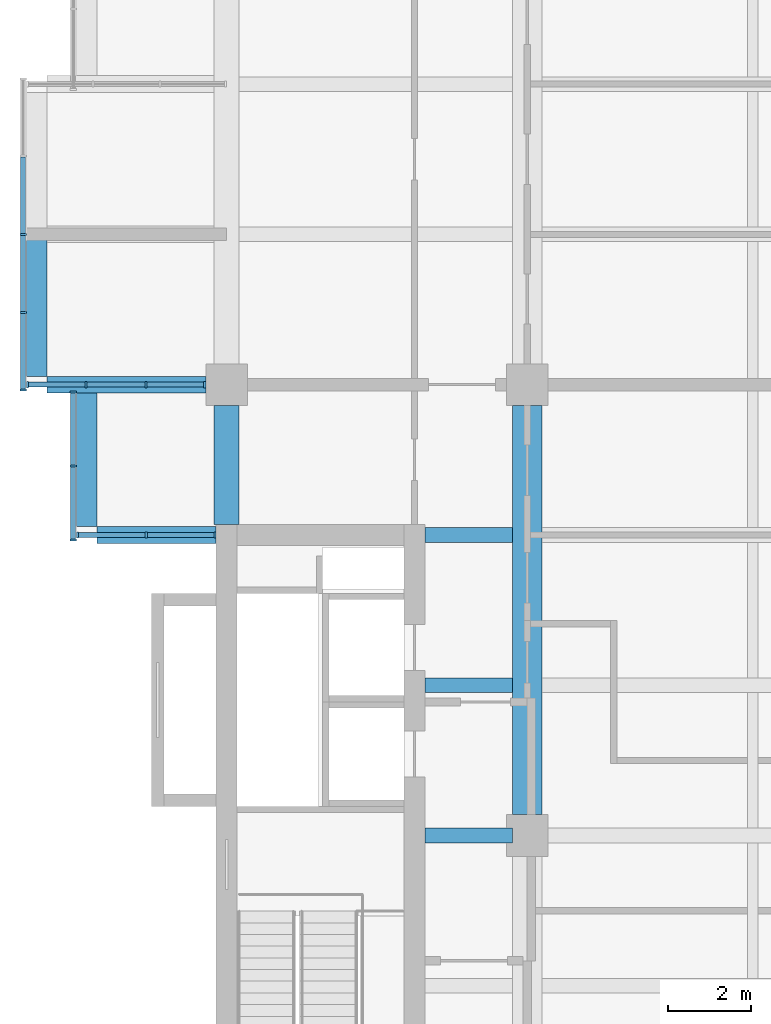
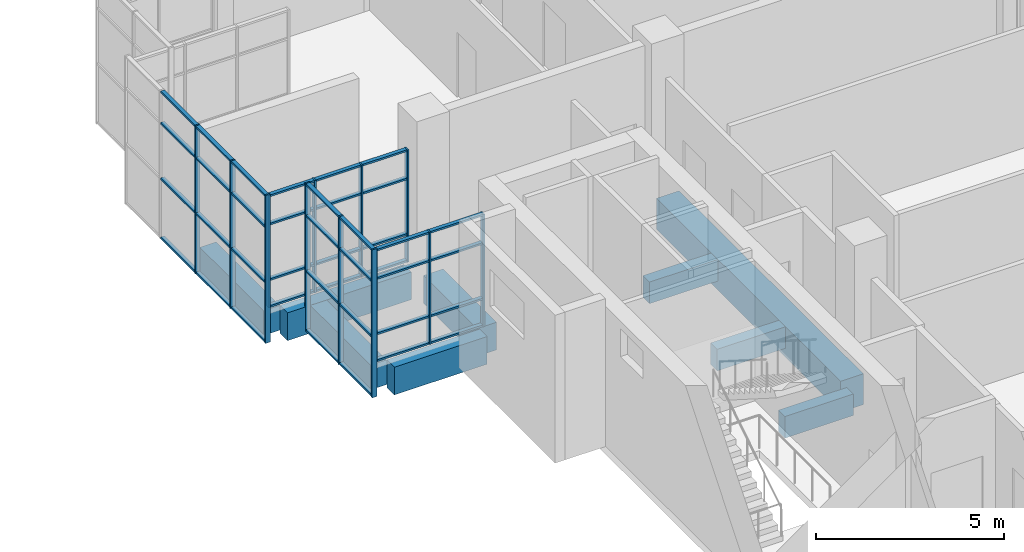
# One storey, part 8 of 35: 53 members, 9 beams, 4 elements without a shape of their own.
"""IFC4 building model written with IfcOpenShell, lengths in metres."""

import ifcopenshell
import ifcopenshell.guid

model = None  # the IFC model being written
_history = None  # IfcOwnerHistory: only IFC2X3 demands one
_inside = {}  # id of a spatial element -> (the spatial element, [elements in it])
_under = {}  # id of a project, library or spatial element -> (it, [spatial elements below it])
_declared = {}  # id of a project -> (the project, [libraries it declares])
_typed = {}  # id of a type object -> (the type object, [elements of that type])
_made_of = {}  # id of a material, layer set ... -> (it, [elements and type objects made of it])


def new_model(schema):
    """Start an empty IFC model of exactly this schema.

    Asked for "IFC4X3", IfcOpenShell would pick the latest addendum, in which some entities
    have other attributes; the version numbers below select the first issue.
    IFC2X3 requires an IfcOwnerHistory on every rooted entity: one is made here for all.
    """
    global model, _history
    if schema == "IFC4X3":
        model = ifcopenshell.file(schema_version=(4, 3, 0, 0))
    else:
        model = ifcopenshell.file(schema=schema)
    _inside.clear()
    _under.clear()
    _declared.clear()
    _typed.clear()
    _made_of.clear()
    _history = None
    if model.schema == "IFC2X3":
        org = make("IfcOrganization", Name="unknown")
        user = make(
            "IfcPersonAndOrganization",
            ThePerson=make("IfcPerson", FamilyName="unknown"),
            TheOrganization=org,
        )
        app = make(
            "IfcApplication",
            ApplicationDeveloper=org,
            Version="unknown",
            ApplicationFullName="unknown",
            ApplicationIdentifier="unknown",
        )
        _history = make(
            "IfcOwnerHistory",
            OwningUser=user,
            OwningApplication=app,
            ChangeAction="ADDED",
            CreationDate=0,
        )
    return model


def make(cls, **values):
    """One entity of the class cls with the attributes given. An attribute that is None is left unset."""
    return model.create_entity(
        cls, **{name: value for name, value in values.items() if value is not None}
    )


def rooted(cls, **values):
    """An entity with a GlobalId (a new one), such as an element, a storey or a relation."""
    return make(cls, GlobalId=ifcopenshell.guid.new(), OwnerHistory=_history, **values)


def si_unit(unit_type, name, prefix=None):
    """IfcSIUnit, for example si_unit("LENGTHUNIT", "METRE", prefix="MILLI")."""
    return make("IfcSIUnit", UnitType=unit_type, Prefix=prefix, Name=name)


def assignment(units):
    """IfcUnitAssignment: the units of a project."""
    return None if units is None else make("IfcUnitAssignment", Units=units)


def point(xyz):
    """IfcCartesianPoint."""
    return None if xyz is None else make("IfcCartesianPoint", Coordinates=xyz)


def direction(xyz):
    """IfcDirection."""
    return None if xyz is None else make("IfcDirection", DirectionRatios=xyz)


def frame(location, z_axis=None, x_axis=None):
    """IfcAxis2Placement3D, a coordinate frame: its origin and axes. An axis left out is left unset."""
    return make(
        "IfcAxis2Placement3D",
        Location=point(location),
        Axis=direction(z_axis),
        RefDirection=direction(x_axis),
    )


def frame_2d(location, x_axis=None):
    """IfcAxis2Placement2D, a coordinate frame in the plane: its origin and x axis."""
    return make(
        "IfcAxis2Placement2D", Location=point(location), RefDirection=direction(x_axis)
    )


def origin():
    """The frame at (0, 0, 0) with its axes left unset."""
    return frame((0.0, 0.0, 0.0))


def origin_2d():
    """The frame at (0, 0) in the plane with its x axis left unset."""
    return frame_2d((0.0, 0.0))


def place(relative_to, where):
    """IfcLocalPlacement: puts the frame where relative to a parent placement (None: the world)."""
    return make(
        "IfcLocalPlacement", PlacementRelTo=relative_to, RelativePlacement=where
    )


def context(
    kind, dimensions, precision=None, world=None, true_north=None, identifier=None
):
    """IfcGeometricRepresentationContext, for example the 3D "Model" context."""
    return make(
        "IfcGeometricRepresentationContext",
        ContextIdentifier=identifier,
        ContextType=kind,
        CoordinateSpaceDimension=dimensions,
        Precision=precision,
        WorldCoordinateSystem=world,
        TrueNorth=true_north,
    )


def subcontext(parent, identifier, kind, view, scale=None):
    """IfcGeometricRepresentationSubContext, for example "Body" below "Model"."""
    return make(
        "IfcGeometricRepresentationSubContext",
        ContextIdentifier=identifier,
        ContextType=kind,
        ParentContext=parent,
        TargetScale=scale,
        TargetView=view,
    )


def project(units=None, contexts=None):
    """IfcProject with its units and contexts."""
    return rooted(
        "IfcProject",
        Name="project",
        RepresentationContexts=contexts,
        UnitsInContext=assignment(units),
    )


def spatial(cls, under=None, at=None, **own):
    """A site, building, storey or space (cls), placed at a placement, below another one or the project."""
    s = rooted(cls, ObjectPlacement=at, **own)
    if under is not None:
        _under.setdefault(under.id(), (under, []))[1].append(s)
    return s


def profile(cls, at=None, kind="AREA", **sizes):
    """A parametric profile (cls). Its sizes go by their IFC names, for example OverallWidth=200.0."""
    return make(cls, ProfileType=kind, Position=at, **sizes)


def rectangle(**sizes):
    """IfcRectangleProfileDef."""
    return profile("IfcRectangleProfileDef", **sizes)


def extrude(swept, where, along, depth):
    """IfcExtrudedAreaSolid: the profile swept, set in the frame where, extruded along a direction by depth."""
    return make(
        "IfcExtrudedAreaSolid",
        SweptArea=swept,
        Position=where,
        ExtrudedDirection=direction(along),
        Depth=depth,
    )


def shape(context_of_items, identifier, shape_type, items):
    """IfcShapeRepresentation: the items that make up one representation, for example the "Body"."""
    return make(
        "IfcShapeRepresentation",
        ContextOfItems=context_of_items,
        RepresentationIdentifier=identifier,
        RepresentationType=shape_type,
        Items=items,
    )


def material(Name=None, Category=None):
    """IfcMaterial."""
    return make("IfcMaterial", Name=Name, Category=Category)


def layer(
    of_material, thickness, ventilated=None, Name=None, Category=None, Priority=None
):
    """IfcMaterialLayer: one layer of a wall or slab, of a material (None: an air gap)."""
    return make(
        "IfcMaterialLayer",
        Material=of_material,
        LayerThickness=thickness,
        IsVentilated=ventilated,
        Name=Name,
        Category=Category,
        Priority=Priority,
    )


def layer_set(layers, Name=None):
    """IfcMaterialLayerSet."""
    return make("IfcMaterialLayerSet", MaterialLayers=layers, LayerSetName=Name)


def material_profile(
    of_material, cross_section, Name=None, Category=None, Priority=None
):
    """IfcMaterialProfile: a cross section and its material."""
    return make(
        "IfcMaterialProfile",
        Name=Name,
        Material=of_material,
        Profile=cross_section,
        Priority=Priority,
        Category=Category,
    )


def profile_set(profiles, Name=None, composite=None):
    """IfcMaterialProfileSet."""
    return make(
        "IfcMaterialProfileSet",
        Name=Name,
        MaterialProfiles=profiles,
        CompositeProfile=composite,
    )


def made_of(thing, what):
    """Note that an element or type object is made of a material, layer set ...; save() writes the relation."""
    if what is not None:
        _made_of.setdefault(what.id(), (what, []))[1].append(thing)
    return thing


def type_object(cls, material=None, **own):
    """A type object (cls), such as IfcWallType, which elements share."""
    return made_of(rooted(cls, **own), material)


def element(
    cls,
    number,
    at=None,
    inside=None,
    cuts=None,
    type_object=None,
    material=None,
    context=None,
    identifier="Body",
    shape_type=None,
    held_by="IfcProductDefinitionShape",
    body=None,
    shapes=None,
    **own,
):
    """One element of the class cls, such as IfcWall. Its Tag is "e" and its number.

    at: its placement. inside: the storey or other place that contains it. cuts: it is an
    opening in that element (IfcRelVoidsElement). A single representation is given by context,
    identifier, shape_type and body (its items); several are given by shapes. held_by: the class
    of the entity that holds the representations. save() writes the other relations.
    """
    e = rooted(cls, Tag="e%d" % number, ObjectPlacement=at, **own)
    if body is not None:
        shapes = [shape(context, identifier, shape_type, body)]
    if shapes is not None:
        e.Representation = make(held_by, Representations=shapes)
    if inside is not None:
        _inside.setdefault(inside.id(), (inside, []))[1].append(e)
    if cuts is not None:
        rooted(
            "IfcRelVoidsElement", RelatingBuildingElement=cuts, RelatedOpeningElement=e
        )
    if type_object is not None:
        _typed.setdefault(type_object.id(), (type_object, []))[1].append(e)
    return made_of(e, material)


def aggregate(whole, parts):
    """IfcRelAggregates: a whole, such as a stair, and the parts it consists of."""
    return rooted("IfcRelAggregates", RelatingObject=whole, RelatedObjects=parts)


def save(model, path):
    """Write the relations noted so far, then the file.

    IfcRelAggregates (storeys below a building ...), IfcRelContainedInSpatialStructure (elements
    in a storey), IfcRelDefinesByType, IfcRelAssociatesMaterial and IfcRelDeclares: one each for
    every whole, place, type object, material and project.
    """
    for whole, parts in _under.values():
        aggregate(whole, parts)
    for where, things in _inside.values():
        rooted(
            "IfcRelContainedInSpatialStructure",
            RelatedElements=things,
            RelatingStructure=where,
        )
    for kind, things in _typed.values():
        rooted("IfcRelDefinesByType", RelatedObjects=things, RelatingType=kind)
    for what, things in _made_of.values():
        rooted("IfcRelAssociatesMaterial", RelatedObjects=things, RelatingMaterial=what)
    for by, libraries in _declared.values():
        rooted("IfcRelDeclares", RelatingContext=by, RelatedDefinitions=libraries)
    model.write(path)


model = new_model("IFC4")

# Units and contexts
model_context = context("Model", 3, precision=1e-05, world=origin(), true_north=direction((0.0, 1.0)))
body_context = subcontext(model_context, "Body", "Model", "MODEL_VIEW")
ifc_project = project(units=[si_unit("LENGTHUNIT", "METRE"), si_unit("AREAUNIT", "SQUARE_METRE"), si_unit("VOLUMEUNIT", "CUBIC_METRE"), si_unit("PLANEANGLEUNIT", "RADIAN"), si_unit("MASSUNIT", "GRAM", prefix="KILO")], contexts=[model_context])

# Site, building, storey
site_placement = place(None, origin())
site = spatial("IfcSite", under=ifc_project, at=site_placement, CompositionType="ELEMENT")
building_placement = place(site_placement, origin())
building = spatial("IfcBuilding", under=site, at=building_placement, Name="Basin Gate Institute", CompositionType="ELEMENT")
storey_placement = place(building_placement, frame((0.0, 0.0, 31.800048828125)))
storey = spatial("IfcBuildingStorey", under=building, at=storey_placement, Name="L06", CompositionType="ELEMENT", Elevation=31.800048828125)

# Beams
ifc_material_1 = material(Name="Concrete 40 MPa", Category="concrete")
ifc_material_profile_1 = material_profile(ifc_material_1, rectangle(XDim=0.35009765625, YDim=0.699951171875, at=origin_2d()), Name="Beam B1 350 x 700")
ifc_profile_set_1 = profile_set([ifc_material_profile_1], Name="Concrete 40 MPa")
beam_type_1 = type_object("IfcBeamType", Name="Beam B1 R120", PredefinedType="BEAM", material=ifc_profile_set_1)
for number, where, z_axis, x_axis, name in (
    (1, (65.949951171875, 67.5, -0.60009765625), (1.0, 0.0, 0.0), (0.0, 1.0, 0.0), "BEAM/L06/W/CORR/10"),
    (2, (65.949951171875, 71.10009765625, -0.60009765625), (1.0, 0.0, 0.0), (0.0, 1.0, 0.0), "BEAM/L06/W/CORR/11"),
    (3, (65.949951171875, 74.699951171875, -0.60009765625), (1.0, 0.0, 0.0), (0.0, 1.0, 0.0), "BEAM/L06/W/CORR/12"),
):
    element("IfcBeam", number, at=place(storey_placement, frame(where, z_axis=z_axis, x_axis=x_axis)), inside=storey, type_object=beam_type_1, material=ifc_profile_set_1, Name=name, PredefinedType="BEAM", context=body_context, shape_type="SweptSolid", body=[
        extrude(rectangle(XDim=0.35009765625, YDim=0.699951171875, at=origin_2d()), origin(), (0.0, 0.0, 1.0), 2.10009765625),
    ])
ifc_material_2 = material(Name="Concrete 50 MPa", Category="concrete")
ifc_material_profile_2 = material_profile(ifc_material_2, rectangle(XDim=0.39990234375, YDim=0.89990234375, at=origin_2d()), Name="Cantilever beam B3 400 x 900")
ifc_profile_set_2 = profile_set([ifc_material_profile_2], Name="Concrete 50 MPa")
beam_type_2 = type_object("IfcBeamType", Name="Cantilever beam B3 R120", PredefinedType="BEAM", material=ifc_profile_set_2)
beam_1_placement = place(storey_placement, frame((58.10009765625, 74.699951171875, -0.699951171875), z_axis=(1.0, 0.0, 0.0), x_axis=(0.0, 1.0, 0.0)))
element("IfcBeam", 4, at=beam_1_placement, inside=storey, type_object=beam_type_2, material=ifc_profile_set_2, Name="BEAM/L06/W/CANT/12", PredefinedType="BEAM", context=body_context, shape_type="SweptSolid", body=[
    extrude(rectangle(XDim=0.39990234375, YDim=0.89990234375, at=origin_2d()), origin(), (0.0, 0.0, 1.0), 2.849853515625),
])
beam_2_placement = place(storey_placement, frame((56.89990234375, 78.300048828125, -0.699951171875), z_axis=(1.0, 0.0, 0.0), x_axis=(0.0, 1.0, 0.0)))
element("IfcBeam", 5, at=beam_2_placement, inside=storey, type_object=beam_type_2, material=ifc_profile_set_2, Name="BEAM/L06/W/CANT/13", PredefinedType="BEAM", context=body_context, shape_type="SweptSolid", body=[
    extrude(rectangle(XDim=0.39990234375, YDim=0.89990234375, at=origin_2d()), origin(), (0.0, 0.0, 1.0), 3.800048828125),
])
ifc_material_3 = material(Name="Concrete 50 MPa", Category="concrete")
ifc_material_profile_3 = material_profile(ifc_material_3, rectangle(XDim=0.60009765625, YDim=0.89990234375, at=origin_2d()), Name="Edge return beam EB3 600 x 900")
ifc_profile_set_3 = profile_set([ifc_material_profile_3], Name="Concrete 50 MPa")
beam_type_3 = type_object("IfcBeamType", Name="Edge return beam EB3 R120", PredefinedType="SPANDREL", material=ifc_profile_set_3)
beam_3_placement = place(storey_placement, frame((61.199951171875, 74.949951171875, -0.699951171875), z_axis=(0.0, 1.0, 0.0), x_axis=(-1.0, 0.0, 0.0)))
element("IfcBeam", 6, at=beam_3_placement, inside=storey, type_object=beam_type_3, material=ifc_profile_set_3, Name="BEAM/L06/W/EDGE/3", PredefinedType="SPANDREL", context=body_context, shape_type="SweptSolid", body=[
    extrude(rectangle(XDim=0.60009765625, YDim=0.89990234375, at=origin_2d()), origin(), (0.0, 0.0, 1.0), 2.85009765625),
])
ifc_material_4 = material(Name="Concrete 50 MPa", Category="concrete")
ifc_material_profile_4 = material_profile(ifc_material_4, rectangle(XDim=0.699951171875, YDim=1.0, at=origin_2d()), Name="Girder G1 700 x 1000")
ifc_profile_set_4 = profile_set([ifc_material_profile_4], Name="Concrete 50 MPa")
beam_type_4 = type_object("IfcBeamType", Name="Girder G1 R120", PredefinedType="BEAM", material=ifc_profile_set_4)
beam_4_placement = place(storey_placement, frame((68.39990234375, 68.0, -0.75), z_axis=(0.0, 1.0, 0.0), x_axis=(-1.0, 0.0, 0.0)))
element("IfcBeam", 7, at=beam_4_placement, inside=storey, type_object=beam_type_4, material=ifc_profile_set_4, Name="GIR/L06/W5/4", PredefinedType="BEAM", context=body_context, shape_type="SweptSolid", body=[
    extrude(rectangle(XDim=0.699951171875, YDim=1.0, at=origin_2d()), origin(), (0.0, 0.0, 1.0), 9.800048828125),
])

# Curtain wall, members
ifc_material_5 = material(Name="Aluminium-framed glazing", Category="aluminium")
ifc_layer = layer(ifc_material_5, 0.14990234375)
ifc_layer_set = layer_set([ifc_layer], Name="Capsule front curtain wall CW1")
curtain_wall_type = type_object("IfcCurtainWallType", Name="Capsule front curtain wall CW1", PredefinedType="NOTDEFINED", material=ifc_layer_set)
curtain_wall_1_placement = place(storey_placement, origin())
curtain_wall_1 = element("IfcCurtainWall", 8, at=curtain_wall_1_placement, inside=storey, type_object=curtain_wall_type, material=ifc_layer_set, Name="Capsule front curtain wall W wing capsule end L06 line 12", PredefinedType="NOTDEFINED")
ifc_material_6 = material(Name="Aluminium", Category="aluminium")
ifc_material_profile_5 = material_profile(ifc_material_6, rectangle(XDim=0.14990234375, YDim=0.050048828125, at=origin_2d()), Name="Mullion MU1 150 x 50")
ifc_profile_set_5 = profile_set([ifc_material_profile_5], Name="Aluminium")
member_type_1 = type_object("IfcMemberType", Name="Mullion MU1", PredefinedType="MULLION", material=ifc_profile_set_5)
member_1_placement = place(storey_placement, frame((57.625, 74.699951171875, 0.0), z_axis=(0.0, 0.0, 1.0), x_axis=(0.0, 1.0, 0.0)))
member_1 = element("IfcMember", 9, at=member_1_placement, type_object=member_type_1, material=ifc_profile_set_5, Name="CW1 mullion 1", PredefinedType="MULLION", context=body_context, shape_type="SweptSolid", body=[
    extrude(rectangle(XDim=0.14990234375, YDim=0.050048828125, at=origin_2d()), origin(), (0.0, 0.0, 1.0), 3.64990234375),
])
member_2_placement = place(storey_placement, frame((59.27490234375, 74.699951171875, 0.0), z_axis=(0.0, 0.0, 1.0), x_axis=(0.0, 1.0, 0.0)))
member_2 = element("IfcMember", 10, at=member_2_placement, type_object=member_type_1, material=ifc_profile_set_5, Name="CW1 mullion 2", PredefinedType="MULLION", context=body_context, shape_type="SweptSolid", body=[
    extrude(rectangle(XDim=0.14990234375, YDim=0.050048828125, at=origin_2d()), origin(), (0.0, 0.0, 1.0), 3.64990234375),
])
member_3_placement = place(storey_placement, frame((60.925048828125, 74.699951171875, 0.0), z_axis=(0.0, 0.0, 1.0), x_axis=(0.0, 1.0, 0.0)))
member_3 = element("IfcMember", 11, at=member_3_placement, type_object=member_type_1, material=ifc_profile_set_5, Name="CW1 mullion 3", PredefinedType="MULLION", context=body_context, shape_type="SweptSolid", body=[
    extrude(rectangle(XDim=0.14990234375, YDim=0.050048828125, at=origin_2d()), origin(), (0.0, 0.0, 1.0), 3.64990234375),
])

curtain_wall_2_placement = place(storey_placement, origin())
curtain_wall_2 = element("IfcCurtainWall", 12, at=curtain_wall_2_placement, inside=storey, type_object=curtain_wall_type, material=ifc_layer_set, Name="Capsule front curtain wall W wing capsule end L06 line 13", PredefinedType="NOTDEFINED")
member_4_placement = place(storey_placement, frame((56.425048828125, 78.300048828125, 0.0), z_axis=(0.0, 0.0, 1.0), x_axis=(0.0, 1.0, 0.0)))
member_4 = element("IfcMember", 13, at=member_4_placement, type_object=member_type_1, material=ifc_profile_set_5, Name="CW1 mullion 1", PredefinedType="MULLION", context=body_context, shape_type="SweptSolid", body=[
    extrude(rectangle(XDim=0.14990234375, YDim=0.050048828125, at=origin_2d()), origin(), (0.0, 0.0, 1.0), 3.64990234375),
])
member_5_placement = place(storey_placement, frame((57.833251953125, 78.300048828125, 0.0), z_axis=(0.0, 0.0, 1.0), x_axis=(0.0, 1.0, 0.0)))
member_5 = element("IfcMember", 14, at=member_5_placement, type_object=member_type_1, material=ifc_profile_set_5, Name="CW1 mullion 2", PredefinedType="MULLION", context=body_context, shape_type="SweptSolid", body=[
    extrude(rectangle(XDim=0.14990234375, YDim=0.050048828125, at=origin_2d()), origin(), (0.0, 0.0, 1.0), 3.64990234375),
])
member_6_placement = place(storey_placement, frame((59.2666015625, 78.300048828125, 0.0), z_axis=(0.0, 0.0, 1.0), x_axis=(0.0, 1.0, 0.0)))
member_6 = element("IfcMember", 15, at=member_6_placement, type_object=member_type_1, material=ifc_profile_set_5, Name="CW1 mullion 3", PredefinedType="MULLION", context=body_context, shape_type="SweptSolid", body=[
    extrude(rectangle(XDim=0.14990234375, YDim=0.050048828125, at=origin_2d()), origin(), (0.0, 0.0, 1.0), 3.64990234375),
])
member_7_placement = place(storey_placement, frame((60.675048828125, 78.300048828125, 0.0), z_axis=(0.0, 0.0, 1.0), x_axis=(0.0, 1.0, 0.0)))
member_7 = element("IfcMember", 16, at=member_7_placement, type_object=member_type_1, material=ifc_profile_set_5, Name="CW1 mullion 4", PredefinedType="MULLION", context=body_context, shape_type="SweptSolid", body=[
    extrude(rectangle(XDim=0.14990234375, YDim=0.050048828125, at=origin_2d()), origin(), (0.0, 0.0, 1.0), 3.64990234375),
])

curtain_wall_3_placement = place(storey_placement, origin())
curtain_wall_3 = element("IfcCurtainWall", 17, at=curtain_wall_3_placement, inside=storey, type_object=curtain_wall_type, material=ifc_layer_set, Name="Capsule front curtain wall W wing capsule 2 L06 front 1", PredefinedType="NOTDEFINED")
member_8_placement = place(storey_placement, frame((57.52490234375, 74.574951171875, -1.050048828125), z_axis=(0.0, 0.0, 1.0), x_axis=(-1.0, 0.0, 0.0)))
member_8 = element("IfcMember", 18, at=member_8_placement, type_object=member_type_1, material=ifc_profile_set_5, Name="CW1 mullion 1", PredefinedType="MULLION", context=body_context, shape_type="SweptSolid", body=[
    extrude(rectangle(XDim=0.14990234375, YDim=0.050048828125, at=origin_2d()), origin(), (0.0, 0.0, 1.0), 4.800048828125),
])
member_9_placement = place(storey_placement, frame((57.52490234375, 76.35009765625, -1.050048828125), z_axis=(0.0, 0.0, 1.0), x_axis=(-1.0, 0.0, 0.0)))
member_9 = element("IfcMember", 19, at=member_9_placement, type_object=member_type_1, material=ifc_profile_set_5, Name="CW1 mullion 2", PredefinedType="MULLION", context=body_context, shape_type="SweptSolid", body=[
    extrude(rectangle(XDim=0.14990234375, YDim=0.050048828125, at=origin_2d()), origin(), (0.0, 0.0, 1.0), 4.800048828125),
])
member_10_placement = place(storey_placement, frame((57.52490234375, 78.125, -1.050048828125), z_axis=(0.0, 0.0, 1.0), x_axis=(-1.0, 0.0, 0.0)))
member_10 = element("IfcMember", 20, at=member_10_placement, type_object=member_type_1, material=ifc_profile_set_5, Name="CW1 mullion 3", PredefinedType="MULLION", context=body_context, shape_type="SweptSolid", body=[
    extrude(rectangle(XDim=0.14990234375, YDim=0.050048828125, at=origin_2d()), origin(), (0.0, 0.0, 1.0), 4.800048828125),
])

curtain_wall_4_placement = place(storey_placement, origin())
curtain_wall_4 = element("IfcCurtainWall", 21, at=curtain_wall_4_placement, inside=storey, type_object=curtain_wall_type, material=ifc_layer_set, Name="Capsule front curtain wall W wing capsule 2 L06 front 2", PredefinedType="NOTDEFINED")
member_11_placement = place(storey_placement, frame((56.324951171875, 78.175048828125, -1.050048828125), z_axis=(0.0, 0.0, 1.0), x_axis=(-1.0, 0.0, 0.0)))
member_11 = element("IfcMember", 22, at=member_11_placement, type_object=member_type_1, material=ifc_profile_set_5, Name="CW1 mullion 1", PredefinedType="MULLION", context=body_context, shape_type="SweptSolid", body=[
    extrude(rectangle(XDim=0.14990234375, YDim=0.050048828125, at=origin_2d()), origin(), (0.0, 0.0, 1.0), 4.800048828125),
])
member_12_placement = place(storey_placement, frame((56.324951171875, 80.02490234375, -1.050048828125), z_axis=(0.0, 0.0, 1.0), x_axis=(-1.0, 0.0, 0.0)))
member_12 = element("IfcMember", 23, at=member_12_placement, type_object=member_type_1, material=ifc_profile_set_5, Name="CW1 mullion 2", PredefinedType="MULLION", context=body_context, shape_type="SweptSolid", body=[
    extrude(rectangle(XDim=0.14990234375, YDim=0.050048828125, at=origin_2d()), origin(), (0.0, 0.0, 1.0), 4.800048828125),
])
member_13_placement = place(storey_placement, frame((56.324951171875, 81.89990234375, -1.050048828125), z_axis=(0.0, 0.0, 1.0), x_axis=(-1.0, 0.0, 0.0)))
member_13 = element("IfcMember", 24, at=member_13_placement, type_object=member_type_1, material=ifc_profile_set_5, Name="CW1 mullion 3", PredefinedType="MULLION", context=body_context, shape_type="SweptSolid", body=[
    extrude(rectangle(XDim=0.14990234375, YDim=0.050048828125, at=origin_2d()), origin(), (0.0, 0.0, 1.0), 4.800048828125),
])

# Beams
ifc_material_7 = material(Name="Concrete 50 MPa", Category="concrete")
ifc_material_profile_6 = material_profile(ifc_material_7, rectangle(XDim=0.5, YDim=0.800048828125, at=origin_2d()), Name="Tip beam TB1 500 x 800")
ifc_profile_set_6 = profile_set([ifc_material_profile_6], Name="Concrete 50 MPa")
beam_type_5 = type_object("IfcBeamType", Name="Tip beam TB1 R120", PredefinedType="SPANDREL", material=ifc_profile_set_6)
beam_5_placement = place(storey_placement, frame((57.85009765625, 74.89990234375, -0.650146484375), z_axis=(0.0, 1.0, 0.0), x_axis=(-1.0, 0.0, 0.0)))
element("IfcBeam", 25, at=beam_5_placement, inside=storey, type_object=beam_type_5, material=ifc_profile_set_6, Name="BEAM/L06/W/TIP/5", PredefinedType="SPANDREL", context=body_context, shape_type="SweptSolid", body=[
    extrude(rectangle(XDim=0.5, YDim=0.800048828125, at=origin_2d()), origin(), (0.0, 0.0, 1.0), 3.2001953125),
])
beam_6_placement = place(storey_placement, frame((56.64990234375, 78.5, -0.650146484375), z_axis=(0.0, 1.0, 0.0), x_axis=(-1.0, 0.0, 0.0)))
element("IfcBeam", 26, at=beam_6_placement, inside=storey, type_object=beam_type_5, material=ifc_profile_set_6, Name="BEAM/L06/W/TIP/6", PredefinedType="SPANDREL", context=body_context, shape_type="SweptSolid", body=[
    extrude(rectangle(XDim=0.5, YDim=0.800048828125, at=origin_2d()), origin(), (0.0, 0.0, 1.0), 3.39990234375),
])

# Member
ifc_material_8 = material(Name="Aluminium", Category="aluminium")
ifc_material_profile_7 = material_profile(ifc_material_8, rectangle(XDim=0.1201171875, YDim=0.06005859375, at=origin_2d()), Name="Transom TR1 120 x 60")
ifc_profile_set_7 = profile_set([ifc_material_profile_7], Name="Aluminium")
member_type_2 = type_object("IfcMemberType", Name="Transom TR1", PredefinedType="USERDEFINED", material=ifc_profile_set_7)
member_14_placement = place(storey_placement, frame((57.64990234375, 74.699951171875, 0.030029296875), z_axis=(1.0, 0.0, 0.0), x_axis=(0.0, 1.0, 0.0)))
member_14 = element("IfcMember", 27, at=member_14_placement, type_object=member_type_2, material=ifc_profile_set_7, Name="CW1 transom 1.1", ObjectType="TRANSOM", PredefinedType="USERDEFINED", context=body_context, shape_type="SweptSolid", body=[
    extrude(rectangle(XDim=0.1201171875, YDim=0.06005859375, at=origin_2d()), origin(), (0.0, 0.0, 1.0), 1.60009765625),
])

member_15_placement = place(storey_placement, frame((57.64990234375, 74.699951171875, 0.89990234375), z_axis=(1.0, 0.0, 0.0), x_axis=(0.0, 1.0, 0.0)))
member_15 = element("IfcMember", 28, at=member_15_placement, type_object=member_type_2, material=ifc_profile_set_7, Name="CW1 transom 1.2", ObjectType="TRANSOM", PredefinedType="USERDEFINED", context=body_context, shape_type="SweptSolid", body=[
    extrude(rectangle(XDim=0.1201171875, YDim=0.06005859375, at=origin_2d()), origin(), (0.0, 0.0, 1.0), 1.60009765625),
])

member_16_placement = place(storey_placement, frame((57.64990234375, 74.699951171875, 2.699951171875), z_axis=(1.0, 0.0, 0.0), x_axis=(0.0, 1.0, 0.0)))
member_16 = element("IfcMember", 29, at=member_16_placement, type_object=member_type_2, material=ifc_profile_set_7, Name="CW1 transom 1.3", ObjectType="TRANSOM", PredefinedType="USERDEFINED", context=body_context, shape_type="SweptSolid", body=[
    extrude(rectangle(XDim=0.1201171875, YDim=0.06005859375, at=origin_2d()), origin(), (0.0, 0.0, 1.0), 1.60009765625),
])

member_17_placement = place(storey_placement, frame((57.64990234375, 74.699951171875, 3.619873046875), z_axis=(1.0, 0.0, 0.0), x_axis=(0.0, 1.0, 0.0)))
member_17 = element("IfcMember", 30, at=member_17_placement, type_object=member_type_2, material=ifc_profile_set_7, Name="CW1 transom 1.4", ObjectType="TRANSOM", PredefinedType="USERDEFINED", context=body_context, shape_type="SweptSolid", body=[
    extrude(rectangle(XDim=0.1201171875, YDim=0.06005859375, at=origin_2d()), origin(), (0.0, 0.0, 1.0), 1.60009765625),
])

member_18_placement = place(storey_placement, frame((59.300048828125, 74.699951171875, 0.030029296875), z_axis=(1.0, 0.0, 0.0), x_axis=(0.0, 1.0, 0.0)))
member_18 = element("IfcMember", 31, at=member_18_placement, type_object=member_type_2, material=ifc_profile_set_7, Name="CW1 transom 2.1", ObjectType="TRANSOM", PredefinedType="USERDEFINED", context=body_context, shape_type="SweptSolid", body=[
    extrude(rectangle(XDim=0.1201171875, YDim=0.06005859375, at=origin_2d()), origin(), (0.0, 0.0, 1.0), 1.599853515625),
])

member_19_placement = place(storey_placement, frame((59.300048828125, 74.699951171875, 0.89990234375), z_axis=(1.0, 0.0, 0.0), x_axis=(0.0, 1.0, 0.0)))
member_19 = element("IfcMember", 32, at=member_19_placement, type_object=member_type_2, material=ifc_profile_set_7, Name="CW1 transom 2.2", ObjectType="TRANSOM", PredefinedType="USERDEFINED", context=body_context, shape_type="SweptSolid", body=[
    extrude(rectangle(XDim=0.1201171875, YDim=0.06005859375, at=origin_2d()), origin(), (0.0, 0.0, 1.0), 1.599853515625),
])

member_20_placement = place(storey_placement, frame((59.300048828125, 74.699951171875, 2.699951171875), z_axis=(1.0, 0.0, 0.0), x_axis=(0.0, 1.0, 0.0)))
member_20 = element("IfcMember", 33, at=member_20_placement, type_object=member_type_2, material=ifc_profile_set_7, Name="CW1 transom 2.3", ObjectType="TRANSOM", PredefinedType="USERDEFINED", context=body_context, shape_type="SweptSolid", body=[
    extrude(rectangle(XDim=0.1201171875, YDim=0.06005859375, at=origin_2d()), origin(), (0.0, 0.0, 1.0), 1.599853515625),
])

member_21_placement = place(storey_placement, frame((59.300048828125, 74.699951171875, 3.619873046875), z_axis=(1.0, 0.0, 0.0), x_axis=(0.0, 1.0, 0.0)))
member_21 = element("IfcMember", 34, at=member_21_placement, type_object=member_type_2, material=ifc_profile_set_7, Name="CW1 transom 2.4", ObjectType="TRANSOM", PredefinedType="USERDEFINED", context=body_context, shape_type="SweptSolid", body=[
    extrude(rectangle(XDim=0.1201171875, YDim=0.06005859375, at=origin_2d()), origin(), (0.0, 0.0, 1.0), 1.599853515625),
])

aggregate(curtain_wall_1, [member_1, member_2, member_3, member_14, member_15, member_16, member_17, member_18, member_19, member_20, member_21])

member_22_placement = place(storey_placement, frame((56.449951171875, 78.300048828125, 0.030029296875), z_axis=(1.0, 0.0, 0.0), x_axis=(0.0, 1.0, 0.0)))
member_22 = element("IfcMember", 35, at=member_22_placement, type_object=member_type_2, material=ifc_profile_set_7, Name="CW1 transom 1.1", ObjectType="TRANSOM", PredefinedType="USERDEFINED", context=body_context, shape_type="SweptSolid", body=[
    extrude(rectangle(XDim=0.1201171875, YDim=0.06005859375, at=origin_2d()), origin(), (0.0, 0.0, 1.0), 1.3583984375),
])

member_23_placement = place(storey_placement, frame((56.449951171875, 78.300048828125, 0.89990234375), z_axis=(1.0, 0.0, 0.0), x_axis=(0.0, 1.0, 0.0)))
member_23 = element("IfcMember", 36, at=member_23_placement, type_object=member_type_2, material=ifc_profile_set_7, Name="CW1 transom 1.2", ObjectType="TRANSOM", PredefinedType="USERDEFINED", context=body_context, shape_type="SweptSolid", body=[
    extrude(rectangle(XDim=0.1201171875, YDim=0.06005859375, at=origin_2d()), origin(), (0.0, 0.0, 1.0), 1.3583984375),
])

member_24_placement = place(storey_placement, frame((56.449951171875, 78.300048828125, 2.699951171875), z_axis=(1.0, 0.0, 0.0), x_axis=(0.0, 1.0, 0.0)))
member_24 = element("IfcMember", 37, at=member_24_placement, type_object=member_type_2, material=ifc_profile_set_7, Name="CW1 transom 1.3", ObjectType="TRANSOM", PredefinedType="USERDEFINED", context=body_context, shape_type="SweptSolid", body=[
    extrude(rectangle(XDim=0.1201171875, YDim=0.06005859375, at=origin_2d()), origin(), (0.0, 0.0, 1.0), 1.3583984375),
])

member_25_placement = place(storey_placement, frame((56.449951171875, 78.300048828125, 3.619873046875), z_axis=(1.0, 0.0, 0.0), x_axis=(0.0, 1.0, 0.0)))
member_25 = element("IfcMember", 38, at=member_25_placement, type_object=member_type_2, material=ifc_profile_set_7, Name="CW1 transom 1.4", ObjectType="TRANSOM", PredefinedType="USERDEFINED", context=body_context, shape_type="SweptSolid", body=[
    extrude(rectangle(XDim=0.1201171875, YDim=0.06005859375, at=origin_2d()), origin(), (0.0, 0.0, 1.0), 1.3583984375),
])

member_26_placement = place(storey_placement, frame((57.8583984375, 78.300048828125, 0.030029296875), z_axis=(1.0, 0.0, 0.0), x_axis=(0.0, 1.0, 0.0)))
member_26 = element("IfcMember", 39, at=member_26_placement, type_object=member_type_2, material=ifc_profile_set_7, Name="CW1 transom 2.1", ObjectType="TRANSOM", PredefinedType="USERDEFINED", context=body_context, shape_type="SweptSolid", body=[
    extrude(rectangle(XDim=0.1201171875, YDim=0.06005859375, at=origin_2d()), origin(), (0.0, 0.0, 1.0), 1.38330078125),
])

member_27_placement = place(storey_placement, frame((57.8583984375, 78.300048828125, 0.89990234375), z_axis=(1.0, 0.0, 0.0), x_axis=(0.0, 1.0, 0.0)))
member_27 = element("IfcMember", 40, at=member_27_placement, type_object=member_type_2, material=ifc_profile_set_7, Name="CW1 transom 2.2", ObjectType="TRANSOM", PredefinedType="USERDEFINED", context=body_context, shape_type="SweptSolid", body=[
    extrude(rectangle(XDim=0.1201171875, YDim=0.06005859375, at=origin_2d()), origin(), (0.0, 0.0, 1.0), 1.38330078125),
])

member_28_placement = place(storey_placement, frame((57.8583984375, 78.300048828125, 2.699951171875), z_axis=(1.0, 0.0, 0.0), x_axis=(0.0, 1.0, 0.0)))
member_28 = element("IfcMember", 41, at=member_28_placement, type_object=member_type_2, material=ifc_profile_set_7, Name="CW1 transom 2.3", ObjectType="TRANSOM", PredefinedType="USERDEFINED", context=body_context, shape_type="SweptSolid", body=[
    extrude(rectangle(XDim=0.1201171875, YDim=0.06005859375, at=origin_2d()), origin(), (0.0, 0.0, 1.0), 1.38330078125),
])

member_29_placement = place(storey_placement, frame((57.8583984375, 78.300048828125, 3.619873046875), z_axis=(1.0, 0.0, 0.0), x_axis=(0.0, 1.0, 0.0)))
member_29 = element("IfcMember", 42, at=member_29_placement, type_object=member_type_2, material=ifc_profile_set_7, Name="CW1 transom 2.4", ObjectType="TRANSOM", PredefinedType="USERDEFINED", context=body_context, shape_type="SweptSolid", body=[
    extrude(rectangle(XDim=0.1201171875, YDim=0.06005859375, at=origin_2d()), origin(), (0.0, 0.0, 1.0), 1.38330078125),
])

member_30_placement = place(storey_placement, frame((59.291748046875, 78.300048828125, 0.030029296875), z_axis=(1.0, 0.0, 0.0), x_axis=(0.0, 1.0, 0.0)))
member_30 = element("IfcMember", 43, at=member_30_placement, type_object=member_type_2, material=ifc_profile_set_7, Name="CW1 transom 3.1", ObjectType="TRANSOM", PredefinedType="USERDEFINED", context=body_context, shape_type="SweptSolid", body=[
    extrude(rectangle(XDim=0.1201171875, YDim=0.06005859375, at=origin_2d()), origin(), (0.0, 0.0, 1.0), 1.358154296875),
])

member_31_placement = place(storey_placement, frame((59.291748046875, 78.300048828125, 0.89990234375), z_axis=(1.0, 0.0, 0.0), x_axis=(0.0, 1.0, 0.0)))
member_31 = element("IfcMember", 44, at=member_31_placement, type_object=member_type_2, material=ifc_profile_set_7, Name="CW1 transom 3.2", ObjectType="TRANSOM", PredefinedType="USERDEFINED", context=body_context, shape_type="SweptSolid", body=[
    extrude(rectangle(XDim=0.1201171875, YDim=0.06005859375, at=origin_2d()), origin(), (0.0, 0.0, 1.0), 1.358154296875),
])

member_32_placement = place(storey_placement, frame((59.291748046875, 78.300048828125, 2.699951171875), z_axis=(1.0, 0.0, 0.0), x_axis=(0.0, 1.0, 0.0)))
member_32 = element("IfcMember", 45, at=member_32_placement, type_object=member_type_2, material=ifc_profile_set_7, Name="CW1 transom 3.3", ObjectType="TRANSOM", PredefinedType="USERDEFINED", context=body_context, shape_type="SweptSolid", body=[
    extrude(rectangle(XDim=0.1201171875, YDim=0.06005859375, at=origin_2d()), origin(), (0.0, 0.0, 1.0), 1.358154296875),
])

member_33_placement = place(storey_placement, frame((59.291748046875, 78.300048828125, 3.619873046875), z_axis=(1.0, 0.0, 0.0), x_axis=(0.0, 1.0, 0.0)))
member_33 = element("IfcMember", 46, at=member_33_placement, type_object=member_type_2, material=ifc_profile_set_7, Name="CW1 transom 3.4", ObjectType="TRANSOM", PredefinedType="USERDEFINED", context=body_context, shape_type="SweptSolid", body=[
    extrude(rectangle(XDim=0.1201171875, YDim=0.06005859375, at=origin_2d()), origin(), (0.0, 0.0, 1.0), 1.358154296875),
])

aggregate(curtain_wall_2, [member_4, member_5, member_6, member_7, member_22, member_23, member_24, member_25, member_26, member_27, member_28, member_29, member_30, member_31, member_32, member_33])

member_34_placement = place(storey_placement, frame((57.52490234375, 74.60009765625, -1.02001953125), z_axis=(0.0, 1.0, 0.0), x_axis=(-1.0, 0.0, 0.0)))
member_34 = element("IfcMember", 47, at=member_34_placement, type_object=member_type_2, material=ifc_profile_set_7, Name="CW1 transom 1.1", ObjectType="TRANSOM", PredefinedType="USERDEFINED", context=body_context, shape_type="SweptSolid", body=[
    extrude(rectangle(XDim=0.1201171875, YDim=0.06005859375, at=origin_2d()), origin(), (0.0, 0.0, 1.0), 1.724853515625),
])

member_35_placement = place(storey_placement, frame((57.52490234375, 74.60009765625, 0.89990234375), z_axis=(0.0, 1.0, 0.0), x_axis=(-1.0, 0.0, 0.0)))
member_35 = element("IfcMember", 48, at=member_35_placement, type_object=member_type_2, material=ifc_profile_set_7, Name="CW1 transom 1.2", ObjectType="TRANSOM", PredefinedType="USERDEFINED", context=body_context, shape_type="SweptSolid", body=[
    extrude(rectangle(XDim=0.1201171875, YDim=0.06005859375, at=origin_2d()), origin(), (0.0, 0.0, 1.0), 1.724853515625),
])

member_36_placement = place(storey_placement, frame((57.52490234375, 74.60009765625, 2.699951171875), z_axis=(0.0, 1.0, 0.0), x_axis=(-1.0, 0.0, 0.0)))
member_36 = element("IfcMember", 49, at=member_36_placement, type_object=member_type_2, material=ifc_profile_set_7, Name="CW1 transom 1.3", ObjectType="TRANSOM", PredefinedType="USERDEFINED", context=body_context, shape_type="SweptSolid", body=[
    extrude(rectangle(XDim=0.1201171875, YDim=0.06005859375, at=origin_2d()), origin(), (0.0, 0.0, 1.0), 1.724853515625),
])

member_37_placement = place(storey_placement, frame((57.52490234375, 74.60009765625, 3.719970703125), z_axis=(0.0, 1.0, 0.0), x_axis=(-1.0, 0.0, 0.0)))
member_37 = element("IfcMember", 50, at=member_37_placement, type_object=member_type_2, material=ifc_profile_set_7, Name="CW1 transom 1.4", ObjectType="TRANSOM", PredefinedType="USERDEFINED", context=body_context, shape_type="SweptSolid", body=[
    extrude(rectangle(XDim=0.1201171875, YDim=0.06005859375, at=origin_2d()), origin(), (0.0, 0.0, 1.0), 1.724853515625),
])

member_38_placement = place(storey_placement, frame((57.52490234375, 76.375, -1.02001953125), z_axis=(0.0, 1.0, 0.0), x_axis=(-1.0, 0.0, 0.0)))
member_38 = element("IfcMember", 51, at=member_38_placement, type_object=member_type_2, material=ifc_profile_set_7, Name="CW1 transom 2.1", ObjectType="TRANSOM", PredefinedType="USERDEFINED", context=body_context, shape_type="SweptSolid", body=[
    extrude(rectangle(XDim=0.1201171875, YDim=0.06005859375, at=origin_2d()), origin(), (0.0, 0.0, 1.0), 1.72509765625),
])

member_39_placement = place(storey_placement, frame((57.52490234375, 76.375, 0.89990234375), z_axis=(0.0, 1.0, 0.0), x_axis=(-1.0, 0.0, 0.0)))
member_39 = element("IfcMember", 52, at=member_39_placement, type_object=member_type_2, material=ifc_profile_set_7, Name="CW1 transom 2.2", ObjectType="TRANSOM", PredefinedType="USERDEFINED", context=body_context, shape_type="SweptSolid", body=[
    extrude(rectangle(XDim=0.1201171875, YDim=0.06005859375, at=origin_2d()), origin(), (0.0, 0.0, 1.0), 1.72509765625),
])

member_40_placement = place(storey_placement, frame((57.52490234375, 76.375, 2.699951171875), z_axis=(0.0, 1.0, 0.0), x_axis=(-1.0, 0.0, 0.0)))
member_40 = element("IfcMember", 53, at=member_40_placement, type_object=member_type_2, material=ifc_profile_set_7, Name="CW1 transom 2.3", ObjectType="TRANSOM", PredefinedType="USERDEFINED", context=body_context, shape_type="SweptSolid", body=[
    extrude(rectangle(XDim=0.1201171875, YDim=0.06005859375, at=origin_2d()), origin(), (0.0, 0.0, 1.0), 1.72509765625),
])

member_41_placement = place(storey_placement, frame((57.52490234375, 76.375, 3.719970703125), z_axis=(0.0, 1.0, 0.0), x_axis=(-1.0, 0.0, 0.0)))
member_41 = element("IfcMember", 54, at=member_41_placement, type_object=member_type_2, material=ifc_profile_set_7, Name="CW1 transom 2.4", ObjectType="TRANSOM", PredefinedType="USERDEFINED", context=body_context, shape_type="SweptSolid", body=[
    extrude(rectangle(XDim=0.1201171875, YDim=0.06005859375, at=origin_2d()), origin(), (0.0, 0.0, 1.0), 1.72509765625),
])

aggregate(curtain_wall_3, [member_8, member_9, member_10, member_34, member_35, member_36, member_37, member_38, member_39, member_40, member_41])

member_42_placement = place(storey_placement, frame((56.324951171875, 78.199951171875, -1.02001953125), z_axis=(0.0, 1.0, 0.0), x_axis=(-1.0, 0.0, 0.0)))
member_42 = element("IfcMember", 55, at=member_42_placement, type_object=member_type_2, material=ifc_profile_set_7, Name="CW1 transom 1.1", ObjectType="TRANSOM", PredefinedType="USERDEFINED", context=body_context, shape_type="SweptSolid", body=[
    extrude(rectangle(XDim=0.1201171875, YDim=0.06005859375, at=origin_2d()), origin(), (0.0, 0.0, 1.0), 1.800048828125),
])

member_43_placement = place(storey_placement, frame((56.324951171875, 78.199951171875, 0.89990234375), z_axis=(0.0, 1.0, 0.0), x_axis=(-1.0, 0.0, 0.0)))
member_43 = element("IfcMember", 56, at=member_43_placement, type_object=member_type_2, material=ifc_profile_set_7, Name="CW1 transom 1.2", ObjectType="TRANSOM", PredefinedType="USERDEFINED", context=body_context, shape_type="SweptSolid", body=[
    extrude(rectangle(XDim=0.1201171875, YDim=0.06005859375, at=origin_2d()), origin(), (0.0, 0.0, 1.0), 1.800048828125),
])

member_44_placement = place(storey_placement, frame((56.324951171875, 78.199951171875, 2.699951171875), z_axis=(0.0, 1.0, 0.0), x_axis=(-1.0, 0.0, 0.0)))
member_44 = element("IfcMember", 57, at=member_44_placement, type_object=member_type_2, material=ifc_profile_set_7, Name="CW1 transom 1.3", ObjectType="TRANSOM", PredefinedType="USERDEFINED", context=body_context, shape_type="SweptSolid", body=[
    extrude(rectangle(XDim=0.1201171875, YDim=0.06005859375, at=origin_2d()), origin(), (0.0, 0.0, 1.0), 1.800048828125),
])

member_45_placement = place(storey_placement, frame((56.324951171875, 78.199951171875, 3.719970703125), z_axis=(0.0, 1.0, 0.0), x_axis=(-1.0, 0.0, 0.0)))
member_45 = element("IfcMember", 58, at=member_45_placement, type_object=member_type_2, material=ifc_profile_set_7, Name="CW1 transom 1.4", ObjectType="TRANSOM", PredefinedType="USERDEFINED", context=body_context, shape_type="SweptSolid", body=[
    extrude(rectangle(XDim=0.1201171875, YDim=0.06005859375, at=origin_2d()), origin(), (0.0, 0.0, 1.0), 1.800048828125),
])

member_46_placement = place(storey_placement, frame((56.324951171875, 80.050048828125, -1.02001953125), z_axis=(0.0, 1.0, 0.0), x_axis=(-1.0, 0.0, 0.0)))
member_46 = element("IfcMember", 59, at=member_46_placement, type_object=member_type_2, material=ifc_profile_set_7, Name="CW1 transom 2.1", ObjectType="TRANSOM", PredefinedType="USERDEFINED", context=body_context, shape_type="SweptSolid", body=[
    extrude(rectangle(XDim=0.1201171875, YDim=0.06005859375, at=origin_2d()), origin(), (0.0, 0.0, 1.0), 1.824951171875),
])

member_47_placement = place(storey_placement, frame((56.324951171875, 80.050048828125, 0.89990234375), z_axis=(0.0, 1.0, 0.0), x_axis=(-1.0, 0.0, 0.0)))
member_47 = element("IfcMember", 60, at=member_47_placement, type_object=member_type_2, material=ifc_profile_set_7, Name="CW1 transom 2.2", ObjectType="TRANSOM", PredefinedType="USERDEFINED", context=body_context, shape_type="SweptSolid", body=[
    extrude(rectangle(XDim=0.1201171875, YDim=0.06005859375, at=origin_2d()), origin(), (0.0, 0.0, 1.0), 1.824951171875),
])

member_48_placement = place(storey_placement, frame((56.324951171875, 80.050048828125, 2.699951171875), z_axis=(0.0, 1.0, 0.0), x_axis=(-1.0, 0.0, 0.0)))
member_48 = element("IfcMember", 61, at=member_48_placement, type_object=member_type_2, material=ifc_profile_set_7, Name="CW1 transom 2.3", ObjectType="TRANSOM", PredefinedType="USERDEFINED", context=body_context, shape_type="SweptSolid", body=[
    extrude(rectangle(XDim=0.1201171875, YDim=0.06005859375, at=origin_2d()), origin(), (0.0, 0.0, 1.0), 1.824951171875),
])

member_49_placement = place(storey_placement, frame((56.324951171875, 80.050048828125, 3.719970703125), z_axis=(0.0, 1.0, 0.0), x_axis=(-1.0, 0.0, 0.0)))
member_49 = element("IfcMember", 62, at=member_49_placement, type_object=member_type_2, material=ifc_profile_set_7, Name="CW1 transom 2.4", ObjectType="TRANSOM", PredefinedType="USERDEFINED", context=body_context, shape_type="SweptSolid", body=[
    extrude(rectangle(XDim=0.1201171875, YDim=0.06005859375, at=origin_2d()), origin(), (0.0, 0.0, 1.0), 1.824951171875),
])

member_50_placement = place(storey_placement, frame((56.324951171875, 81.925048828125, -1.02001953125), z_axis=(0.0, 1.0, 0.0), x_axis=(-1.0, 0.0, 0.0)))
member_50 = element("IfcMember", 63, at=member_50_placement, type_object=member_type_2, material=ifc_profile_set_7, Name="CW1 transom 3.1", ObjectType="TRANSOM", PredefinedType="USERDEFINED", context=body_context, shape_type="SweptSolid", body=[
    extrude(rectangle(XDim=0.1201171875, YDim=0.06005859375, at=origin_2d()), origin(), (0.0, 0.0, 1.0), 1.824951171875),
])

member_51_placement = place(storey_placement, frame((56.324951171875, 81.925048828125, 0.89990234375), z_axis=(0.0, 1.0, 0.0), x_axis=(-1.0, 0.0, 0.0)))
member_51 = element("IfcMember", 64, at=member_51_placement, type_object=member_type_2, material=ifc_profile_set_7, Name="CW1 transom 3.2", ObjectType="TRANSOM", PredefinedType="USERDEFINED", context=body_context, shape_type="SweptSolid", body=[
    extrude(rectangle(XDim=0.1201171875, YDim=0.06005859375, at=origin_2d()), origin(), (0.0, 0.0, 1.0), 1.824951171875),
])

member_52_placement = place(storey_placement, frame((56.324951171875, 81.925048828125, 2.699951171875), z_axis=(0.0, 1.0, 0.0), x_axis=(-1.0, 0.0, 0.0)))
member_52 = element("IfcMember", 65, at=member_52_placement, type_object=member_type_2, material=ifc_profile_set_7, Name="CW1 transom 3.3", ObjectType="TRANSOM", PredefinedType="USERDEFINED", context=body_context, shape_type="SweptSolid", body=[
    extrude(rectangle(XDim=0.1201171875, YDim=0.06005859375, at=origin_2d()), origin(), (0.0, 0.0, 1.0), 1.824951171875),
])

member_53_placement = place(storey_placement, frame((56.324951171875, 81.925048828125, 3.719970703125), z_axis=(0.0, 1.0, 0.0), x_axis=(-1.0, 0.0, 0.0)))
member_53 = element("IfcMember", 66, at=member_53_placement, type_object=member_type_2, material=ifc_profile_set_7, Name="CW1 transom 3.4", ObjectType="TRANSOM", PredefinedType="USERDEFINED", context=body_context, shape_type="SweptSolid", body=[
    extrude(rectangle(XDim=0.1201171875, YDim=0.06005859375, at=origin_2d()), origin(), (0.0, 0.0, 1.0), 1.824951171875),
])

aggregate(curtain_wall_4, [member_11, member_12, member_13, member_42, member_43, member_44, member_45, member_46, member_47, member_48, member_49, member_50, member_51, member_52, member_53])

save(model, "model.ifc")
